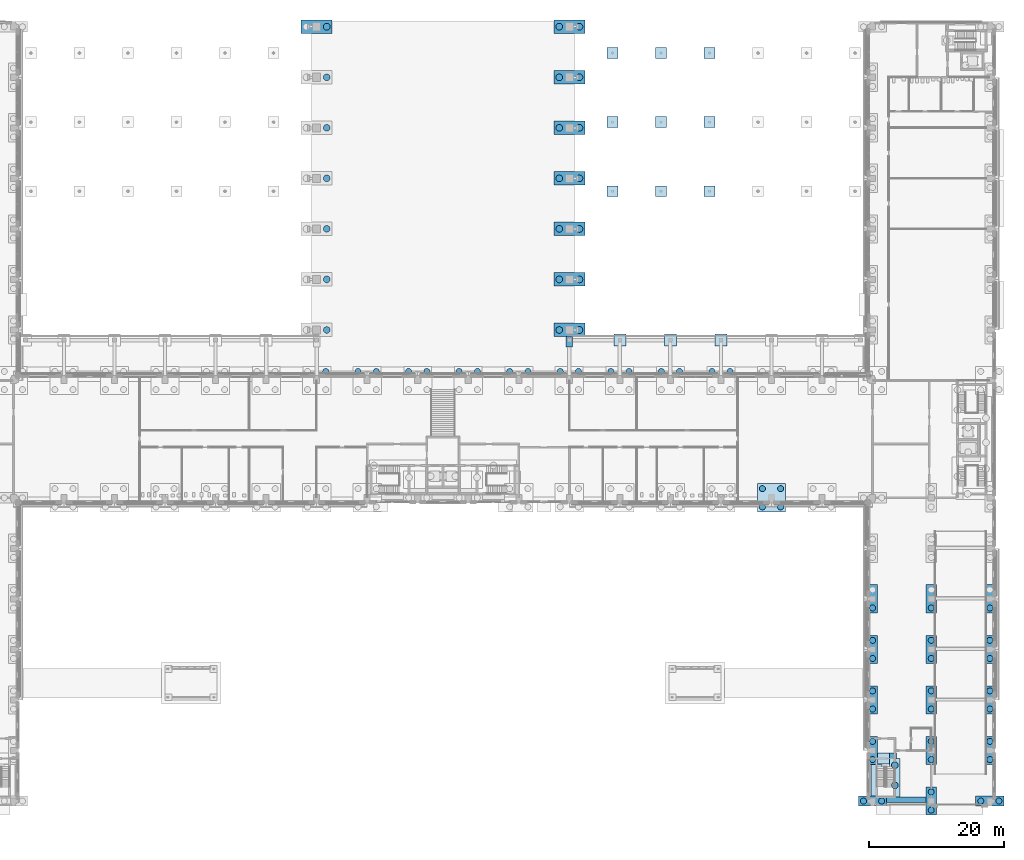
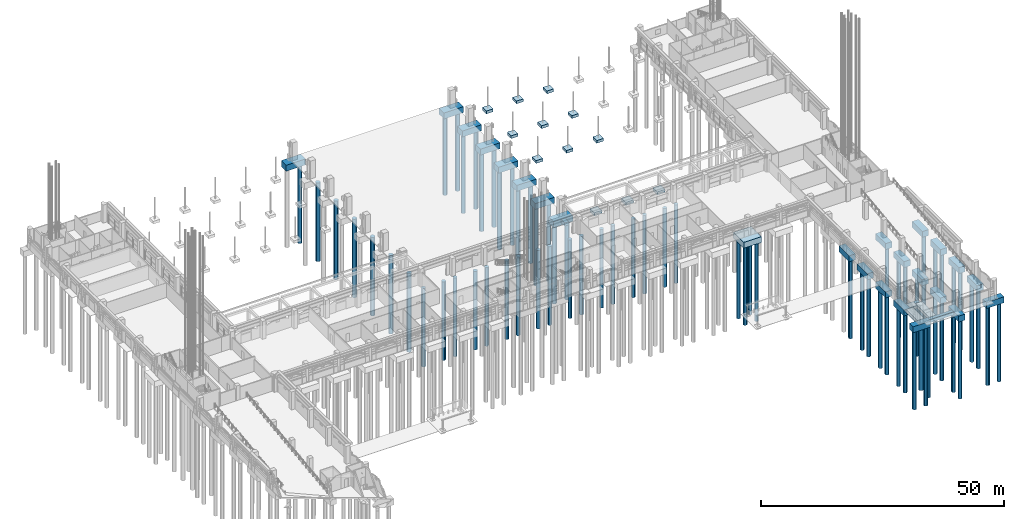
# One storey, part 4 of 99: 71 piles, 42 footings.
"""IFC4 building model written with IfcOpenShell, lengths in metres."""

from ifc_helpers import new_model, si_unit, direction, frame, origin, origin_2d, place, context, subcontext, project, spatial, polyline, circle, outline, extrude, material, layer, layer_set, material_profile, profile_set, type_object, element, save


model = new_model("IFC4")

# Units and contexts
model_context = context("Model", 3, precision=1e-05, world=origin(), true_north=direction((0.0, 1.0)))
body_context = subcontext(model_context, "Body", "Model", "MODEL_VIEW")
ifc_project = project(units=[si_unit("LENGTHUNIT", "METRE"), si_unit("AREAUNIT", "SQUARE_METRE"), si_unit("VOLUMEUNIT", "CUBIC_METRE"), si_unit("PLANEANGLEUNIT", "RADIAN"), si_unit("MASSUNIT", "GRAM", prefix="KILO")], contexts=[model_context])

# Site, building, storey
site_placement = place(None, origin())
site = spatial("IfcSite", under=ifc_project, at=site_placement, CompositionType="ELEMENT")
building_placement = place(site_placement, origin())
building = spatial("IfcBuilding", under=site, at=building_placement, Name="Cour d'Honneur Mobility Palace", CompositionType="ELEMENT")
storey_placement = place(building_placement, origin())
storey = spatial("IfcBuildingStorey", under=building, at=storey_placement, Name="L00", CompositionType="ELEMENT", Elevation=0.0)

# Footings
ifc_material_1 = material(Name="Concrete C50", Category="concrete")
ifc_layer_1 = layer(ifc_material_1, 0.800048828125)
ifc_layer_set_1 = layer_set([ifc_layer_1], Name="Concrete C50")
footing_type_1 = type_object("IfcFootingType", Name="Arcade pad footing 1000x800", PredefinedType="PAD_FOOTING", material=ifc_layer_set_1)
footing_1_placement = place(storey_placement, frame((0.0, 0.0, -1.10009765625)))
element("IfcFooting", 1, at=footing_1_placement, inside=storey, type_object=footing_type_1, Name="Arcade pad footing AF-E1", PredefinedType="PAD_FOOTING", context=body_context, shape_type="SweptSolid", body=[
    extrude(outline(polyline([(99.39990234375, 67.39990234375), (100.39990234375, 67.39990234375), (100.39990234375, 68.89990234375), (99.39990234375, 68.89990234375), (99.39990234375, 67.39990234375)])), origin(), (0.0, 0.0, 1.0), 0.800048828125),
])
ifc_material_2 = material(Name="Concrete C50", Category="concrete")
ifc_layer_2 = layer(ifc_material_2, 0.800048828125)
ifc_layer_set_2 = layer_set([ifc_layer_2], Name="Concrete C50")
footing_type_2 = type_object("IfcFootingType", Name="Arcade pad footing 1800x800", PredefinedType="PAD_FOOTING", material=ifc_layer_set_2)
footing_2_placement = place(storey_placement, frame((0.0, 0.0, -1.10009765625)))
element("IfcFooting", 2, at=footing_2_placement, inside=storey, type_object=footing_type_2, Name="Arcade pad footing AF-E2", PredefinedType="PAD_FOOTING", context=body_context, shape_type="SweptSolid", body=[
    extrude(outline(polyline([(106.5, 67.5), (108.300048828125, 67.5), (108.300048828125, 69.300048828125), (106.5, 69.300048828125), (106.5, 67.5)])), origin(), (0.0, 0.0, 1.0), 0.800048828125),
])
footing_3_placement = place(storey_placement, frame((0.0, 0.0, -1.10009765625)))
element("IfcFooting", 3, at=footing_3_placement, inside=storey, type_object=footing_type_2, Name="Arcade pad footing AF-E3", PredefinedType="PAD_FOOTING", context=body_context, shape_type="SweptSolid", body=[
    extrude(outline(polyline([(114.0, 67.5), (115.800048828125, 67.5), (115.800048828125, 69.300048828125), (114.0, 69.300048828125), (114.0, 67.5)])), origin(), (0.0, 0.0, 1.0), 0.800048828125),
])
footing_4_placement = place(storey_placement, frame((0.0, 0.0, -1.10009765625)))
element("IfcFooting", 4, at=footing_4_placement, inside=storey, type_object=footing_type_2, Name="Arcade pad footing AF-E4", PredefinedType="PAD_FOOTING", context=body_context, shape_type="SweptSolid", body=[
    extrude(outline(polyline([(121.5, 67.5), (123.300048828125, 67.5), (123.300048828125, 69.300048828125), (121.5, 69.300048828125), (121.5, 67.5)])), origin(), (0.0, 0.0, 1.0), 0.800048828125),
])

# Piles
ifc_material_3 = material(Name="Concrete C40", Category="concrete")
ifc_material_profile_1 = material_profile(ifc_material_3, circle(Radius=0.5, at=origin_2d()), Name="Bored pile D1000")
ifc_profile_set_1 = profile_set([ifc_material_profile_1], Name="Concrete C40")
pile_type_1 = type_object("IfcPileType", Name="Bored pile D1000", PredefinedType="BORED", material=ifc_profile_set_1)
for number, where, z_axis, x_axis, name in (
    (5, (63.89990234375, 69.89990234375, -1.75), (0.0, 0.0, -1.0), (1.0, 0.0, 0.0), "Bored pile P.62.4/69.9.2"),
    (6, (98.39990234375, 69.89990234375, -1.75), (0.0, 0.0, -1.0), (1.0, 0.0, 0.0), "Bored pile P.99.9/69.9.1"),
    (7, (101.39990234375, 69.89990234375, -1.75), (0.0, 0.0, -1.0), (1.0, 0.0, 0.0), "Bored pile P.99.9/69.9.2"),
    (8, (63.89990234375, 77.39990234375, -1.75), (0.0, 0.0, -1.0), (1.0, 0.0, 0.0), "Bored pile P.62.4/77.4.2"),
    (9, (98.39990234375, 77.39990234375, -1.75), (0.0, 0.0, -1.0), (1.0, 0.0, 0.0), "Bored pile P.99.9/77.4.1"),
    (10, (101.39990234375, 77.39990234375, -1.75), (0.0, 0.0, -1.0), (1.0, 0.0, 0.0), "Bored pile P.99.9/77.4.2"),
    (11, (63.89990234375, 84.89990234375, -1.75), (0.0, 0.0, -1.0), (1.0, 0.0, 0.0), "Bored pile P.62.4/84.9.2"),
    (12, (98.39990234375, 84.89990234375, -1.75), (0.0, 0.0, -1.0), (1.0, 0.0, 0.0), "Bored pile P.99.9/84.9.1"),
    (13, (101.39990234375, 84.89990234375, -1.75), (0.0, 0.0, -1.0), (1.0, 0.0, 0.0), "Bored pile P.99.9/84.9.2"),
    (14, (63.89990234375, 92.39990234375, -1.75), (0.0, 0.0, -1.0), (1.0, 0.0, 0.0), "Bored pile P.62.4/92.4.2"),
    (15, (98.39990234375, 92.39990234375, -1.75), (0.0, 0.0, -1.0), (1.0, 0.0, 0.0), "Bored pile P.99.9/92.4.1"),
    (16, (101.39990234375, 92.39990234375, -1.75), (0.0, 0.0, -1.0), (1.0, 0.0, 0.0), "Bored pile P.99.9/92.4.2"),
    (17, (63.89990234375, 99.89990234375, -1.75), (0.0, 0.0, -1.0), (1.0, 0.0, 0.0), "Bored pile P.62.4/99.9.2"),
    (18, (98.39990234375, 99.89990234375, -1.75), (0.0, 0.0, -1.0), (1.0, 0.0, 0.0), "Bored pile P.99.9/99.9.1"),
    (19, (101.39990234375, 99.89990234375, -1.75), (0.0, 0.0, -1.0), (1.0, 0.0, 0.0), "Bored pile P.99.9/99.9.2"),
    (20, (63.89990234375, 107.39990234375, -1.75), (0.0, 0.0, -1.0), (1.0, 0.0, 0.0), "Bored pile P.62.4/107.4.2"),
    (21, (98.39990234375, 107.39990234375, -1.75), (0.0, 0.0, -1.0), (1.0, 0.0, 0.0), "Bored pile P.99.9/107.4.1"),
    (22, (101.39990234375, 107.39990234375, -1.75), (0.0, 0.0, -1.0), (1.0, 0.0, 0.0), "Bored pile P.99.9/107.4.2"),
    (23, (63.89990234375, 114.89990234375, -1.75), (0.0, 0.0, -1.0), (1.0, 0.0, 0.0), "Bored pile P.62.4/114.9.2"),
    (24, (98.39990234375, 114.89990234375, -1.75), (0.0, 0.0, -1.0), (1.0, 0.0, 0.0), "Bored pile P.99.9/114.9.1"),
    (25, (101.39990234375, 114.89990234375, -1.75), (0.0, 0.0, -1.0), (1.0, 0.0, 0.0), "Bored pile P.99.9/114.9.2"),
):
    element("IfcPile", number, at=place(storey_placement, frame(where, z_axis=z_axis, x_axis=x_axis)), inside=storey, type_object=pile_type_1, Name=name, PredefinedType="BORED", context=body_context, shape_type="SweptSolid", body=[
        extrude(circle(Radius=0.5, at=origin_2d()), origin(), (0.0, 0.0, 1.0), 19.75),
    ])
for number, where, z_axis, x_axis, name in (
    (26, (148.199951171875, 2.324951171875, -1.050048828125), (0.0, 0.0, -1.0), (1.0, 0.0, 0.0), "Bored pile S004.1"),
    (27, (148.199951171875, 5.324951171875, -1.050048828125), (0.0, 0.0, -1.0), (1.0, 0.0, 0.0), "Bored pile S004.2"),
):
    element("IfcPile", number, at=place(storey_placement, frame(where, z_axis=z_axis, x_axis=x_axis)), inside=storey, type_object=pile_type_1, Name=name, PredefinedType="BORED", context=body_context, shape_type="SweptSolid", body=[
        extrude(circle(Radius=0.5, at=origin_2d()), origin(), (0.0, 0.0, 1.0), 20.449951171875),
    ])
ifc_material_4 = material(Name="Concrete C40", Category="concrete")
ifc_material_profile_2 = material_profile(ifc_material_4, circle(Radius=0.449951171875, at=origin_2d()), Name="Bored pile D900")
ifc_profile_set_2 = profile_set([ifc_material_profile_2], Name="Concrete C40")
pile_type_2 = type_object("IfcPileType", Name="Bored pile D900", PredefinedType="BORED", material=ifc_profile_set_2)
for number, where, z_axis, x_axis, name in (
    (28, (143.550048828125, 0.0, -1.75), (0.0, 0.0, -1.0), (1.0, 0.0, 0.0), "Bored pile L00.19/A.1"),
    (29, (146.25, 0.0, -1.75), (0.0, 0.0, -1.0), (1.0, 0.0, 0.0), "Bored pile L00.19/A.2"),
    (30, (153.60009765625, -1.35009765625, -1.75), (0.0, 0.0, -1.0), (1.0, 0.0, 0.0), "Bored pile L00.19A/A.1"),
    (31, (153.60009765625, 1.35009765625, -1.75), (0.0, 0.0, -1.0), (1.0, 0.0, 0.0), "Bored pile L00.19A/A.2"),
    (32, (160.949951171875, 0.0, -1.75), (0.0, 0.0, -1.0), (1.0, 0.0, 0.0), "Bored pile L00.20/A.1"),
    (33, (163.64990234375, 0.0, -1.75), (0.0, 0.0, -1.0), (1.0, 0.0, 0.0), "Bored pile L00.20/A.2"),
    (34, (144.89990234375, 6.14990234375, -1.75), (0.0, 0.0, -1.0), (1.0, 0.0, 0.0), "Bored pile L00.19/B.1"),
    (35, (144.89990234375, 8.85009765625, -1.75), (0.0, 0.0, -1.0), (1.0, 0.0, 0.0), "Bored pile L00.19/B.2"),
    (36, (153.60009765625, 6.14990234375, -1.75), (0.0, 0.0, -1.0), (1.0, 0.0, 0.0), "Bored pile L00.19A/B.1"),
    (37, (153.60009765625, 8.85009765625, -1.75), (0.0, 0.0, -1.0), (1.0, 0.0, 0.0), "Bored pile L00.19A/B.2"),
    (38, (162.300048828125, 6.14990234375, -1.75), (0.0, 0.0, -1.0), (1.0, 0.0, 0.0), "Bored pile L00.20/B.1"),
    (39, (162.300048828125, 8.85009765625, -1.75), (0.0, 0.0, -1.0), (1.0, 0.0, 0.0), "Bored pile L00.20/B.2"),
    (40, (144.89990234375, 13.64990234375, -1.75), (0.0, 0.0, -1.0), (1.0, 0.0, 0.0), "Bored pile L00.19/C.1"),
    (41, (144.89990234375, 16.35009765625, -1.75), (0.0, 0.0, -1.0), (1.0, 0.0, 0.0), "Bored pile L00.19/C.2"),
    (42, (153.60009765625, 13.64990234375, -1.75), (0.0, 0.0, -1.0), (1.0, 0.0, 0.0), "Bored pile L00.19A/C.1"),
    (43, (153.60009765625, 16.35009765625, -1.75), (0.0, 0.0, -1.0), (1.0, 0.0, 0.0), "Bored pile L00.19A/C.2"),
    (44, (162.300048828125, 13.64990234375, -1.75), (0.0, 0.0, -1.0), (1.0, 0.0, 0.0), "Bored pile L00.20/C.1"),
    (45, (162.300048828125, 16.35009765625, -1.75), (0.0, 0.0, -1.0), (1.0, 0.0, 0.0), "Bored pile L00.20/C.2"),
    (46, (144.89990234375, 21.14990234375, -1.75), (0.0, 0.0, -1.0), (1.0, 0.0, 0.0), "Bored pile L00.19/D.1"),
    (47, (144.89990234375, 23.85009765625, -1.75), (0.0, 0.0, -1.0), (1.0, 0.0, 0.0), "Bored pile L00.19/D.2"),
    (48, (153.60009765625, 21.14990234375, -1.75), (0.0, 0.0, -1.0), (1.0, 0.0, 0.0), "Bored pile L00.19A/D.1"),
    (49, (153.60009765625, 23.85009765625, -1.75), (0.0, 0.0, -1.0), (1.0, 0.0, 0.0), "Bored pile L00.19A/D.2"),
    (50, (162.300048828125, 21.14990234375, -1.75), (0.0, 0.0, -1.0), (1.0, 0.0, 0.0), "Bored pile L00.20/D.1"),
    (51, (162.300048828125, 23.85009765625, -1.75), (0.0, 0.0, -1.0), (1.0, 0.0, 0.0), "Bored pile L00.20/D.2"),
    (52, (144.89990234375, 28.64990234375, -1.75), (0.0, 0.0, -1.0), (1.0, 0.0, 0.0), "Bored pile L00.19/E.1"),
    (53, (153.60009765625, 28.64990234375, -1.75), (0.0, 0.0, -1.0), (1.0, 0.0, 0.0), "Bored pile L00.19A/E.1"),
    (54, (162.300048828125, 28.64990234375, -1.75), (0.0, 0.0, -1.0), (1.0, 0.0, 0.0), "Bored pile L00.20/E.1"),
    (55, (128.550048828125, 43.64990234375, -1.75), (0.0, 0.0, -1.0), (1.0, 0.0, 0.0), "Bored pile L00.17/G.1"),
    (56, (131.25, 43.64990234375, -1.75), (0.0, 0.0, -1.0), (1.0, 0.0, 0.0), "Bored pile L00.17/G.2"),
    (57, (128.550048828125, 46.35009765625, -1.75), (0.0, 0.0, -1.0), (1.0, 0.0, 0.0), "Bored pile L00.17/G.3"),
    (58, (131.25, 46.35009765625, -1.75), (0.0, 0.0, -1.0), (1.0, 0.0, 0.0), "Bored pile L00.17/G.4"),
    (59, (63.75, 63.75, -1.75), (0.0, 0.0, -1.0), (1.0, 0.0, 0.0), "Bored pile L00.8/H.4"),
    (60, (68.550048828125, 63.75, -1.75), (0.0, 0.0, -1.0), (1.0, 0.0, 0.0), "Bored pile L00.9/H.3"),
    (61, (71.25, 63.75, -1.75), (0.0, 0.0, -1.0), (1.0, 0.0, 0.0), "Bored pile L00.9/H.4"),
    (62, (76.050048828125, 63.75, -1.75), (0.0, 0.0, -1.0), (1.0, 0.0, 0.0), "Bored pile L00.10/H.3"),
    (63, (78.75, 63.75, -1.75), (0.0, 0.0, -1.0), (1.0, 0.0, 0.0), "Bored pile L00.10/H.4"),
    (64, (83.550048828125, 63.75, -1.75), (0.0, 0.0, -1.0), (1.0, 0.0, 0.0), "Bored pile L00.11/H.3"),
    (65, (86.25, 63.75, -1.75), (0.0, 0.0, -1.0), (1.0, 0.0, 0.0), "Bored pile L00.11/H.4"),
    (66, (91.050048828125, 63.75, -1.75), (0.0, 0.0, -1.0), (1.0, 0.0, 0.0), "Bored pile L00.12/H.3"),
    (67, (93.75, 63.75, -1.75), (0.0, 0.0, -1.0), (1.0, 0.0, 0.0), "Bored pile L00.12/H.4"),
    (68, (98.550048828125, 63.75, -1.75), (0.0, 0.0, -1.0), (1.0, 0.0, 0.0), "Bored pile L00.13/H.3"),
    (69, (101.25, 63.75, -1.75), (0.0, 0.0, -1.0), (1.0, 0.0, 0.0), "Bored pile L00.13/H.4"),
    (70, (106.050048828125, 63.75, -1.75), (0.0, 0.0, -1.0), (1.0, 0.0, 0.0), "Bored pile L00.14/H.3"),
    (71, (108.75, 63.75, -1.75), (0.0, 0.0, -1.0), (1.0, 0.0, 0.0), "Bored pile L00.14/H.4"),
    (72, (113.550048828125, 63.75, -1.75), (0.0, 0.0, -1.0), (1.0, 0.0, 0.0), "Bored pile L00.15/H.3"),
    (73, (116.25, 63.75, -1.75), (0.0, 0.0, -1.0), (1.0, 0.0, 0.0), "Bored pile L00.15/H.4"),
    (74, (121.050048828125, 63.75, -1.75), (0.0, 0.0, -1.0), (1.0, 0.0, 0.0), "Bored pile L00.16/H.3"),
    (75, (123.75, 63.75, -1.75), (0.0, 0.0, -1.0), (1.0, 0.0, 0.0), "Bored pile L00.16/H.4"),
):
    element("IfcPile", number, at=place(storey_placement, frame(where, z_axis=z_axis, x_axis=x_axis)), inside=storey, type_object=pile_type_2, Name=name, PredefinedType="BORED", context=body_context, shape_type="SweptSolid", body=[
        extrude(circle(Radius=0.449951171875, at=origin_2d()), origin(), (0.0, 0.0, 1.0), 19.75),
    ])

# Footings
ifc_material_5 = material(Name="Concrete C40", Category="concrete")
ifc_layer_3 = layer(ifc_material_5, 0.699951171875)
ifc_layer_set_3 = layer_set([ifc_layer_3], Name="Concrete C40")
footing_type_3 = type_object("IfcFootingType", Name="Canopy pad footing 1600x700", PredefinedType="PAD_FOOTING", material=ifc_layer_set_3)
footing_5_placement = place(storey_placement, frame((0.0, 0.0, -1.0)))
element("IfcFooting", 76, at=footing_5_placement, inside=storey, type_object=footing_type_3, Name="Canopy pad footing FCF-E1.1", PredefinedType="PAD_FOOTING", context=body_context, shape_type="SweptSolid", body=[
    extrude(outline(polyline([(105.5, 89.699951171875), (107.10009765625, 89.699951171875), (107.10009765625, 91.300048828125), (105.5, 91.300048828125), (105.5, 89.699951171875)])), origin(), (0.0, 0.0, 1.0), 0.699951171875),
])
footing_6_placement = place(storey_placement, frame((0.0, 0.0, -1.0)))
element("IfcFooting", 77, at=footing_6_placement, inside=storey, type_object=footing_type_3, Name="Canopy pad footing FCF-E1.2", PredefinedType="PAD_FOOTING", context=body_context, shape_type="SweptSolid", body=[
    extrude(outline(polyline([(112.699951171875, 89.699951171875), (114.300048828125, 89.699951171875), (114.300048828125, 91.300048828125), (112.699951171875, 91.300048828125), (112.699951171875, 89.699951171875)])), origin(), (0.0, 0.0, 1.0), 0.699951171875),
])
footing_7_placement = place(storey_placement, frame((0.0, 0.0, -1.0)))
element("IfcFooting", 78, at=footing_7_placement, inside=storey, type_object=footing_type_3, Name="Canopy pad footing FCF-E1.3", PredefinedType="PAD_FOOTING", context=body_context, shape_type="SweptSolid", body=[
    extrude(outline(polyline([(119.89990234375, 89.699951171875), (121.5, 89.699951171875), (121.5, 91.300048828125), (119.89990234375, 91.300048828125), (119.89990234375, 89.699951171875)])), origin(), (0.0, 0.0, 1.0), 0.699951171875),
])
footing_8_placement = place(storey_placement, frame((0.0, 0.0, -1.0)))
element("IfcFooting", 79, at=footing_8_placement, inside=storey, type_object=footing_type_3, Name="Canopy pad footing FCF-E2.1", PredefinedType="PAD_FOOTING", context=body_context, shape_type="SweptSolid", body=[
    extrude(outline(polyline([(105.5, 99.949951171875), (107.10009765625, 99.949951171875), (107.10009765625, 101.550048828125), (105.5, 101.550048828125), (105.5, 99.949951171875)])), origin(), (0.0, 0.0, 1.0), 0.699951171875),
])
footing_9_placement = place(storey_placement, frame((0.0, 0.0, -1.0)))
element("IfcFooting", 80, at=footing_9_placement, inside=storey, type_object=footing_type_3, Name="Canopy pad footing FCF-E2.2", PredefinedType="PAD_FOOTING", context=body_context, shape_type="SweptSolid", body=[
    extrude(outline(polyline([(112.699951171875, 99.949951171875), (114.300048828125, 99.949951171875), (114.300048828125, 101.550048828125), (112.699951171875, 101.550048828125), (112.699951171875, 99.949951171875)])), origin(), (0.0, 0.0, 1.0), 0.699951171875),
])
footing_10_placement = place(storey_placement, frame((0.0, 0.0, -1.0)))
element("IfcFooting", 81, at=footing_10_placement, inside=storey, type_object=footing_type_3, Name="Canopy pad footing FCF-E2.3", PredefinedType="PAD_FOOTING", context=body_context, shape_type="SweptSolid", body=[
    extrude(outline(polyline([(119.89990234375, 99.949951171875), (121.5, 99.949951171875), (121.5, 101.550048828125), (119.89990234375, 101.550048828125), (119.89990234375, 99.949951171875)])), origin(), (0.0, 0.0, 1.0), 0.699951171875),
])
footing_11_placement = place(storey_placement, frame((0.0, 0.0, -1.0)))
element("IfcFooting", 82, at=footing_11_placement, inside=storey, type_object=footing_type_3, Name="Canopy pad footing FCF-E3.1", PredefinedType="PAD_FOOTING", context=body_context, shape_type="SweptSolid", body=[
    extrude(outline(polyline([(105.5, 110.199951171875), (107.10009765625, 110.199951171875), (107.10009765625, 111.800048828125), (105.5, 111.800048828125), (105.5, 110.199951171875)])), origin(), (0.0, 0.0, 1.0), 0.699951171875),
])
footing_12_placement = place(storey_placement, frame((0.0, 0.0, -1.0)))
element("IfcFooting", 83, at=footing_12_placement, inside=storey, type_object=footing_type_3, Name="Canopy pad footing FCF-E3.2", PredefinedType="PAD_FOOTING", context=body_context, shape_type="SweptSolid", body=[
    extrude(outline(polyline([(112.699951171875, 110.199951171875), (114.300048828125, 110.199951171875), (114.300048828125, 111.800048828125), (112.699951171875, 111.800048828125), (112.699951171875, 110.199951171875)])), origin(), (0.0, 0.0, 1.0), 0.699951171875),
])
footing_13_placement = place(storey_placement, frame((0.0, 0.0, -1.0)))
element("IfcFooting", 84, at=footing_13_placement, inside=storey, type_object=footing_type_3, Name="Canopy pad footing FCF-E3.3", PredefinedType="PAD_FOOTING", context=body_context, shape_type="SweptSolid", body=[
    extrude(outline(polyline([(119.89990234375, 110.199951171875), (121.5, 110.199951171875), (121.5, 111.800048828125), (119.89990234375, 111.800048828125), (119.89990234375, 110.199951171875)])), origin(), (0.0, 0.0, 1.0), 0.699951171875),
])
ifc_material_6 = material(Name="Concrete C40", Category="concrete")
ifc_layer_4 = layer(ifc_material_6, 1.5)
ifc_layer_set_4 = layer_set([ifc_layer_4], Name="Concrete C40")
footing_type_4 = type_object("IfcFootingType", Name="Pile cap PC2 4200x1500", PredefinedType="PILE_CAP", material=ifc_layer_set_4)
footing_14_placement = place(storey_placement, frame((0.0, 0.0, -1.75)))
element("IfcFooting", 85, at=footing_14_placement, inside=storey, type_object=footing_type_4, Name="Pile cap PC2-19/A", PredefinedType="PILE_CAP", context=body_context, shape_type="SweptSolid", body=[
    extrude(outline(polyline([(142.800048828125, -0.75), (147.0, -0.75), (147.0, 0.75), (142.800048828125, 0.75), (142.800048828125, -0.75)])), origin(), (0.0, 0.0, 1.0), 1.5),
])
footing_15_placement = place(storey_placement, frame((0.0, 0.0, -1.75)))
element("IfcFooting", 86, at=footing_15_placement, inside=storey, type_object=footing_type_4, Name="Pile cap PC2-19A/A", PredefinedType="PILE_CAP", context=body_context, shape_type="SweptSolid", body=[
    extrude(outline(polyline([(152.85009765625, -2.10009765625), (154.35009765625, -2.10009765625), (154.35009765625, 2.10009765625), (152.85009765625, 2.10009765625), (152.85009765625, -2.10009765625)])), origin(), (0.0, 0.0, 1.0), 1.5),
])
footing_16_placement = place(storey_placement, frame((0.0, 0.0, -1.75)))
element("IfcFooting", 87, at=footing_16_placement, inside=storey, type_object=footing_type_4, Name="Pile cap PC2-20/A", PredefinedType="PILE_CAP", context=body_context, shape_type="SweptSolid", body=[
    extrude(outline(polyline([(160.199951171875, -0.75), (164.39990234375, -0.75), (164.39990234375, 0.75), (160.199951171875, 0.75), (160.199951171875, -0.75)])), origin(), (0.0, 0.0, 1.0), 1.5),
])
footing_17_placement = place(storey_placement, frame((0.0, 0.0, -1.75)))
element("IfcFooting", 88, at=footing_17_placement, inside=storey, type_object=footing_type_4, Name="Pile cap PC2-19/B", PredefinedType="PILE_CAP", context=body_context, shape_type="SweptSolid", body=[
    extrude(outline(polyline([(144.14990234375, 5.39990234375), (145.64990234375, 5.39990234375), (145.64990234375, 9.60009765625), (144.14990234375, 9.60009765625), (144.14990234375, 5.39990234375)])), origin(), (0.0, 0.0, 1.0), 1.5),
])
footing_18_placement = place(storey_placement, frame((0.0, 0.0, -1.75)))
element("IfcFooting", 89, at=footing_18_placement, inside=storey, type_object=footing_type_4, Name="Pile cap PC2-19A/B", PredefinedType="PILE_CAP", context=body_context, shape_type="SweptSolid", body=[
    extrude(outline(polyline([(152.85009765625, 5.39990234375), (154.35009765625, 5.39990234375), (154.35009765625, 9.60009765625), (152.85009765625, 9.60009765625), (152.85009765625, 5.39990234375)])), origin(), (0.0, 0.0, 1.0), 1.5),
])
footing_19_placement = place(storey_placement, frame((0.0, 0.0, -1.75)))
element("IfcFooting", 90, at=footing_19_placement, inside=storey, type_object=footing_type_4, Name="Pile cap PC2-20/B", PredefinedType="PILE_CAP", context=body_context, shape_type="SweptSolid", body=[
    extrude(outline(polyline([(161.550048828125, 5.39990234375), (163.050048828125, 5.39990234375), (163.050048828125, 9.60009765625), (161.550048828125, 9.60009765625), (161.550048828125, 5.39990234375)])), origin(), (0.0, 0.0, 1.0), 1.5),
])
footing_20_placement = place(storey_placement, frame((0.0, 0.0, -1.75)))
element("IfcFooting", 91, at=footing_20_placement, inside=storey, type_object=footing_type_4, Name="Pile cap PC2-19/C", PredefinedType="PILE_CAP", context=body_context, shape_type="SweptSolid", body=[
    extrude(outline(polyline([(144.14990234375, 12.89990234375), (145.64990234375, 12.89990234375), (145.64990234375, 17.10009765625), (144.14990234375, 17.10009765625), (144.14990234375, 12.89990234375)])), origin(), (0.0, 0.0, 1.0), 1.5),
])
footing_21_placement = place(storey_placement, frame((0.0, 0.0, -1.75)))
element("IfcFooting", 92, at=footing_21_placement, inside=storey, type_object=footing_type_4, Name="Pile cap PC2-19A/C", PredefinedType="PILE_CAP", context=body_context, shape_type="SweptSolid", body=[
    extrude(outline(polyline([(152.85009765625, 12.89990234375), (154.35009765625, 12.89990234375), (154.35009765625, 17.10009765625), (152.85009765625, 17.10009765625), (152.85009765625, 12.89990234375)])), origin(), (0.0, 0.0, 1.0), 1.5),
])
footing_22_placement = place(storey_placement, frame((0.0, 0.0, -1.75)))
element("IfcFooting", 93, at=footing_22_placement, inside=storey, type_object=footing_type_4, Name="Pile cap PC2-20/C", PredefinedType="PILE_CAP", context=body_context, shape_type="SweptSolid", body=[
    extrude(outline(polyline([(161.550048828125, 12.89990234375), (163.050048828125, 12.89990234375), (163.050048828125, 17.10009765625), (161.550048828125, 17.10009765625), (161.550048828125, 12.89990234375)])), origin(), (0.0, 0.0, 1.0), 1.5),
])
footing_23_placement = place(storey_placement, frame((0.0, 0.0, -1.75)))
element("IfcFooting", 94, at=footing_23_placement, inside=storey, type_object=footing_type_4, Name="Pile cap PC2-19/D", PredefinedType="PILE_CAP", context=body_context, shape_type="SweptSolid", body=[
    extrude(outline(polyline([(144.14990234375, 20.39990234375), (145.64990234375, 20.39990234375), (145.64990234375, 24.60009765625), (144.14990234375, 24.60009765625), (144.14990234375, 20.39990234375)])), origin(), (0.0, 0.0, 1.0), 1.5),
])
footing_24_placement = place(storey_placement, frame((0.0, 0.0, -1.75)))
element("IfcFooting", 95, at=footing_24_placement, inside=storey, type_object=footing_type_4, Name="Pile cap PC2-19A/D", PredefinedType="PILE_CAP", context=body_context, shape_type="SweptSolid", body=[
    extrude(outline(polyline([(152.85009765625, 20.39990234375), (154.35009765625, 20.39990234375), (154.35009765625, 24.60009765625), (152.85009765625, 24.60009765625), (152.85009765625, 20.39990234375)])), origin(), (0.0, 0.0, 1.0), 1.5),
])
footing_25_placement = place(storey_placement, frame((0.0, 0.0, -1.75)))
element("IfcFooting", 96, at=footing_25_placement, inside=storey, type_object=footing_type_4, Name="Pile cap PC2-20/D", PredefinedType="PILE_CAP", context=body_context, shape_type="SweptSolid", body=[
    extrude(outline(polyline([(161.550048828125, 20.39990234375), (163.050048828125, 20.39990234375), (163.050048828125, 24.60009765625), (161.550048828125, 24.60009765625), (161.550048828125, 20.39990234375)])), origin(), (0.0, 0.0, 1.0), 1.5),
])
footing_26_placement = place(storey_placement, frame((0.0, 0.0, -1.75)))
element("IfcFooting", 97, at=footing_26_placement, inside=storey, type_object=footing_type_4, Name="Pile cap PC2-19/E", PredefinedType="PILE_CAP", context=body_context, shape_type="SweptSolid", body=[
    extrude(outline(polyline([(144.14990234375, 27.89990234375), (145.64990234375, 27.89990234375), (145.64990234375, 32.10009765625), (144.14990234375, 32.10009765625), (144.14990234375, 27.89990234375)])), origin(), (0.0, 0.0, 1.0), 1.5),
])
footing_27_placement = place(storey_placement, frame((0.0, 0.0, -1.75)))
element("IfcFooting", 98, at=footing_27_placement, inside=storey, type_object=footing_type_4, Name="Pile cap PC2-19A/E", PredefinedType="PILE_CAP", context=body_context, shape_type="SweptSolid", body=[
    extrude(outline(polyline([(152.85009765625, 27.89990234375), (154.35009765625, 27.89990234375), (154.35009765625, 32.10009765625), (152.85009765625, 32.10009765625), (152.85009765625, 27.89990234375)])), origin(), (0.0, 0.0, 1.0), 1.5),
])
footing_28_placement = place(storey_placement, frame((0.0, 0.0, -1.75)))
element("IfcFooting", 99, at=footing_28_placement, inside=storey, type_object=footing_type_4, Name="Pile cap PC2-20/E", PredefinedType="PILE_CAP", context=body_context, shape_type="SweptSolid", body=[
    extrude(outline(polyline([(161.550048828125, 27.89990234375), (163.050048828125, 27.89990234375), (163.050048828125, 32.10009765625), (161.550048828125, 32.10009765625), (161.550048828125, 27.89990234375)])), origin(), (0.0, 0.0, 1.0), 1.5),
])
ifc_material_7 = material(Name="Concrete C40", Category="concrete")
ifc_layer_5 = layer(ifc_material_7, 1.5)
ifc_layer_set_5 = layer_set([ifc_layer_5], Name="Concrete C40")
footing_type_5 = type_object("IfcFootingType", Name="Pile cap PC4 4200x4200", PredefinedType="PILE_CAP", material=ifc_layer_set_5)
footing_29_placement = place(storey_placement, frame((0.0, 0.0, -1.75)))
element("IfcFooting", 100, at=footing_29_placement, inside=storey, type_object=footing_type_5, Name="Pile cap PC4-17/G", PredefinedType="PILE_CAP", context=body_context, shape_type="SweptSolid", body=[
    extrude(outline(polyline([(127.800048828125, 42.89990234375), (132.0, 42.89990234375), (132.0, 47.10009765625), (127.800048828125, 47.10009765625), (127.800048828125, 42.89990234375)])), origin(), (0.0, 0.0, 1.0), 1.5),
])
ifc_material_8 = material(Name="Concrete C40", Category="concrete")
ifc_layer_6 = layer(ifc_material_8, 1.5)
ifc_layer_set_6 = layer_set([ifc_layer_6], Name="Concrete C40")
footing_type_6 = type_object("IfcFootingType", Name="Pile cap PCP 4600x2000", PredefinedType="PILE_CAP", material=ifc_layer_set_6)
footing_30_placement = place(storey_placement, frame((0.0, 0.0, -1.75)))
element("IfcFooting", 101, at=footing_30_placement, inside=storey, type_object=footing_type_6, Name="Pile cap PCP-99.9/69.9", PredefinedType="PILE_CAP", context=body_context, shape_type="SweptSolid", body=[
    extrude(outline(polyline([(97.60009765625, 68.89990234375), (102.199951171875, 68.89990234375), (102.199951171875, 70.89990234375), (97.60009765625, 70.89990234375), (97.60009765625, 68.89990234375)])), origin(), (0.0, 0.0, 1.0), 1.5),
])
footing_31_placement = place(storey_placement, frame((0.0, 0.0, -1.75)))
element("IfcFooting", 102, at=footing_31_placement, inside=storey, type_object=footing_type_6, Name="Pile cap PCP-99.9/77.4", PredefinedType="PILE_CAP", context=body_context, shape_type="SweptSolid", body=[
    extrude(outline(polyline([(97.60009765625, 76.39990234375), (102.199951171875, 76.39990234375), (102.199951171875, 78.39990234375), (97.60009765625, 78.39990234375), (97.60009765625, 76.39990234375)])), origin(), (0.0, 0.0, 1.0), 1.5),
])
footing_32_placement = place(storey_placement, frame((0.0, 0.0, -1.75)))
element("IfcFooting", 103, at=footing_32_placement, inside=storey, type_object=footing_type_6, Name="Pile cap PCP-99.9/84.9", PredefinedType="PILE_CAP", context=body_context, shape_type="SweptSolid", body=[
    extrude(outline(polyline([(97.60009765625, 83.89990234375), (102.199951171875, 83.89990234375), (102.199951171875, 85.89990234375), (97.60009765625, 85.89990234375), (97.60009765625, 83.89990234375)])), origin(), (0.0, 0.0, 1.0), 1.5),
])
footing_33_placement = place(storey_placement, frame((0.0, 0.0, -1.75)))
element("IfcFooting", 104, at=footing_33_placement, inside=storey, type_object=footing_type_6, Name="Pile cap PCP-99.9/92.4", PredefinedType="PILE_CAP", context=body_context, shape_type="SweptSolid", body=[
    extrude(outline(polyline([(97.60009765625, 91.39990234375), (102.199951171875, 91.39990234375), (102.199951171875, 93.39990234375), (97.60009765625, 93.39990234375), (97.60009765625, 91.39990234375)])), origin(), (0.0, 0.0, 1.0), 1.5),
])
footing_34_placement = place(storey_placement, frame((0.0, 0.0, -1.75)))
element("IfcFooting", 105, at=footing_34_placement, inside=storey, type_object=footing_type_6, Name="Pile cap PCP-99.9/99.9", PredefinedType="PILE_CAP", context=body_context, shape_type="SweptSolid", body=[
    extrude(outline(polyline([(97.60009765625, 98.89990234375), (102.199951171875, 98.89990234375), (102.199951171875, 100.89990234375), (97.60009765625, 100.89990234375), (97.60009765625, 98.89990234375)])), origin(), (0.0, 0.0, 1.0), 1.5),
])
footing_35_placement = place(storey_placement, frame((0.0, 0.0, -1.75)))
element("IfcFooting", 106, at=footing_35_placement, inside=storey, type_object=footing_type_6, Name="Pile cap PCP-99.9/107.4", PredefinedType="PILE_CAP", context=body_context, shape_type="SweptSolid", body=[
    extrude(outline(polyline([(97.60009765625, 106.39990234375), (102.199951171875, 106.39990234375), (102.199951171875, 108.39990234375), (97.60009765625, 108.39990234375), (97.60009765625, 106.39990234375)])), origin(), (0.0, 0.0, 1.0), 1.5),
])
footing_36_placement = place(storey_placement, frame((0.0, 0.0, -1.75)))
element("IfcFooting", 107, at=footing_36_placement, inside=storey, type_object=footing_type_6, Name="Pile cap PCP-62.4/114.9", PredefinedType="PILE_CAP", context=body_context, shape_type="SweptSolid", body=[
    extrude(outline(polyline([(60.10009765625, 113.89990234375), (64.699951171875, 113.89990234375), (64.699951171875, 115.89990234375), (60.10009765625, 115.89990234375), (60.10009765625, 113.89990234375)])), origin(), (0.0, 0.0, 1.0), 1.5),
])
footing_37_placement = place(storey_placement, frame((0.0, 0.0, -1.75)))
element("IfcFooting", 108, at=footing_37_placement, inside=storey, type_object=footing_type_6, Name="Pile cap PCP-99.9/114.9", PredefinedType="PILE_CAP", context=body_context, shape_type="SweptSolid", body=[
    extrude(outline(polyline([(97.60009765625, 113.89990234375), (102.199951171875, 113.89990234375), (102.199951171875, 115.89990234375), (97.60009765625, 115.89990234375), (97.60009765625, 113.89990234375)])), origin(), (0.0, 0.0, 1.0), 1.5),
])
ifc_material_9 = material(Name="Concrete C40", Category="concrete")
ifc_layer_7 = layer(ifc_material_9, 0.800048828125)
ifc_layer_set_7 = layer_set([ifc_layer_7], Name="Concrete C40")
footing_type_7 = type_object("IfcFootingType", Name="Strip footing 1600x800", PredefinedType="STRIP_FOOTING", material=ifc_layer_set_7)
footing_38_placement = place(storey_placement, frame((0.0, 0.0, -1.050048828125)))
element("IfcFooting", 109, at=footing_38_placement, inside=storey, type_object=footing_type_7, Name="Strip footing SF-004", PredefinedType="STRIP_FOOTING", context=body_context, shape_type="SweptSolid", body=[
    extrude(outline(polyline([(147.39990234375, 0.574951171875), (149.0, 0.574951171875), (149.0, 6.300048828125), (147.39990234375, 6.300048828125), (147.39990234375, 0.574951171875)])), origin(), (0.0, 0.0, 1.0), 0.800048828125),
])
footing_39_placement = place(storey_placement, frame((0.0, 0.0, -1.050048828125)))
element("IfcFooting", 110, at=footing_39_placement, inside=storey, type_object=footing_type_7, Name="Strip footing SF-006", PredefinedType="STRIP_FOOTING", context=body_context, shape_type="SweptSolid", body=[
    extrude(outline(polyline([(144.675048828125, 0.75), (146.27490234375, 0.75), (146.27490234375, 5.39990234375), (144.675048828125, 5.39990234375), (144.675048828125, 0.75)])), origin(), (0.0, 0.0, 1.0), 0.800048828125),
])
footing_40_placement = place(storey_placement, frame((0.0, 0.0, -1.050048828125)))
element("IfcFooting", 111, at=footing_40_placement, inside=storey, type_object=footing_type_7, Name="Strip footing SF-008", PredefinedType="STRIP_FOOTING", context=body_context, shape_type="SweptSolid", body=[
    extrude(outline(polyline([(145.64990234375, 5.5), (147.39990234375, 5.5), (147.39990234375, 7.10009765625), (145.64990234375, 7.10009765625), (145.64990234375, 5.5)])), origin(), (0.0, 0.0, 1.0), 0.800048828125),
])
ifc_material_10 = material(Name="Concrete C40", Category="concrete")
ifc_layer_8 = layer(ifc_material_10, 0.800048828125)
ifc_layer_set_8 = layer_set([ifc_layer_8], Name="Concrete C40")
footing_type_8 = type_object("IfcFootingType", Name="Strip footing 800x800", PredefinedType="STRIP_FOOTING", material=ifc_layer_set_8)
footing_41_placement = place(storey_placement, frame((0.0, 0.0, -1.050048828125)))
element("IfcFooting", 112, at=footing_41_placement, inside=storey, type_object=footing_type_8, Name="Strip footing SF-002", PredefinedType="STRIP_FOOTING", context=body_context, shape_type="SweptSolid", body=[
    extrude(outline(polyline([(147.0, -0.22509765625), (152.85009765625, -0.22509765625), (152.85009765625, 0.574951171875), (147.0, 0.574951171875), (147.0, -0.22509765625)])), origin(), (0.0, 0.0, 1.0), 0.800048828125),
])
footing_42_placement = place(storey_placement, frame((0.0, 0.0, -1.050048828125)))
element("IfcFooting", 113, at=footing_42_placement, inside=storey, type_object=footing_type_8, Name="Strip footing SF-010", PredefinedType="STRIP_FOOTING", context=body_context, shape_type="SweptSolid", body=[
    extrude(outline(polyline([(147.39990234375, 6.300048828125), (148.449951171875, 6.300048828125), (148.449951171875, 7.10009765625), (147.39990234375, 7.10009765625), (147.39990234375, 6.300048828125)])), origin(), (0.0, 0.0, 1.0), 0.800048828125),
])

save(model, "model.ifc")
